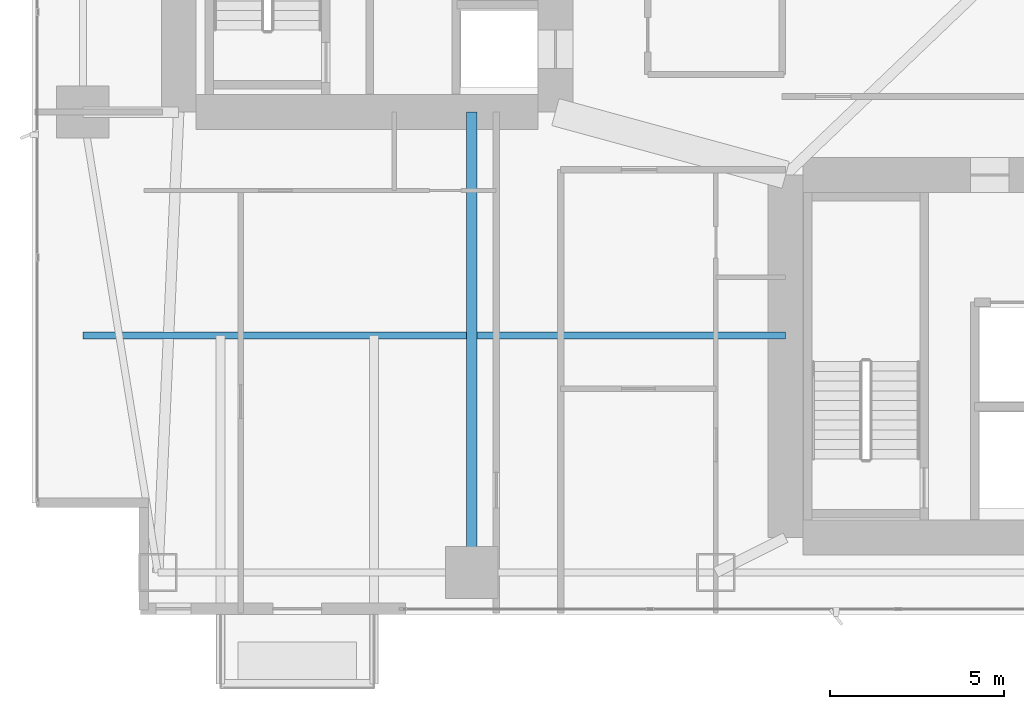
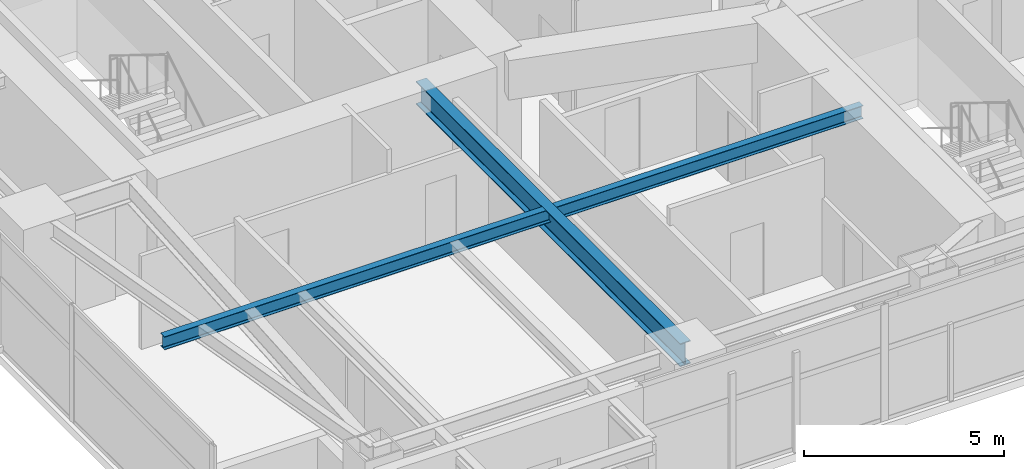
# One storey, part 5 of 30: 2 beams.
"""IFC4 building model written with IfcOpenShell, lengths in metres."""

from ifc_helpers import new_model, si_unit, direction, frame, origin, origin_2d, place, context, subcontext, project, spatial, i_section, extrude, material, material_profile, profile_set, type_object, element, save


model = new_model("IFC4")

# Units and contexts
model_context = context("Model", 3, precision=1e-05, world=origin(), true_north=direction((0.0, 1.0)))
body_context = subcontext(model_context, "Body", "Model", "MODEL_VIEW")
ifc_project = project(units=[si_unit("LENGTHUNIT", "METRE"), si_unit("AREAUNIT", "SQUARE_METRE"), si_unit("VOLUMEUNIT", "CUBIC_METRE"), si_unit("PLANEANGLEUNIT", "RADIAN"), si_unit("MASSUNIT", "GRAM", prefix="KILO")], contexts=[model_context])

# Site, building, storey
site_placement = place(None, origin())
site = spatial("IfcSite", under=ifc_project, at=site_placement, CompositionType="ELEMENT")
building_placement = place(site_placement, origin())
building = spatial("IfcBuilding", under=site, at=building_placement, Name="Calvorn Quay Hotel", CompositionType="ELEMENT")
storey_placement = place(building_placement, frame((0.0, 0.0, 50.800048828125)))
storey = spatial("IfcBuildingStorey", under=building, at=storey_placement, Name="L11", CompositionType="ELEMENT", Elevation=50.800048828125)

# Beams
ifc_material_1 = material(Name="Steel Q390GJC", Category="steel")
ifc_material_profile_1 = material_profile(ifc_material_1, i_section(OverallWidth=0.300048828125, OverallDepth=0.699951171875, WebThickness=0.012939453125, FlangeThickness=0.02392578125, FilletRadius=0.02392578125, at=origin_2d()), Name="HN700x300x13x24")
ifc_profile_set_1 = profile_set([ifc_material_profile_1], Name="Steel Q390GJC")
beam_type_1 = type_object("IfcBeamType", Name="BM-GIRD-MAIN", PredefinedType="BEAM", material=ifc_profile_set_1)
beam_1_placement = place(storey_placement, frame((12.60009765625, 3.60009765625, 3.18994140625), z_axis=(0.0, 1.0, 0.0), x_axis=(-1.0, 0.0, 0.0)))
element("IfcBeam", 1, at=beam_1_placement, inside=storey, type_object=beam_type_1, Name="Beam BG-L11-S1", PredefinedType="BEAM", context=body_context, shape_type="SweptSolid", body=[
    extrude(i_section(OverallWidth=0.300048828125, OverallDepth=0.699951171875, WebThickness=0.012939453125, FlangeThickness=0.02392578125, FilletRadius=0.02392578125, at=origin_2d()), origin(), (0.0, 0.0, 1.0), 13.199951171875),
])
ifc_material_2 = material(Name="Steel Q355B", Category="steel")
ifc_material_profile_2 = material_profile(ifc_material_2, i_section(OverallWidth=0.199951171875, OverallDepth=0.39990234375, WebThickness=0.008056640625, FlangeThickness=0.012939453125, FilletRadius=0.01611328125, at=origin_2d()), Name="HN400x200x8x13")
ifc_profile_set_2 = profile_set([ifc_material_profile_2], Name="Steel Q355B")
beam_type_2 = type_object("IfcBeamType", Name="BM-JOIST-TYP", PredefinedType="JOIST", material=ifc_profile_set_2)
beam_2_placement = place(storey_placement, frame((1.449951171875, 10.39990234375, 3.33984375), z_axis=(1.0, 0.0, 0.0), x_axis=(0.0, 1.0, 0.0)))
element("IfcBeam", 2, at=beam_2_placement, inside=storey, type_object=beam_type_2, Name="Beam BJ-L11-W1", PredefinedType="JOIST", context=body_context, shape_type="SweptSolid", body=[
    extrude(i_section(OverallWidth=0.199951171875, OverallDepth=0.39990234375, WebThickness=0.008056640625, FlangeThickness=0.012939453125, FilletRadius=0.01611328125, at=origin_2d()), origin(), (0.0, 0.0, 1.0), 20.150146484375),
])

save(model, "model.ifc")
